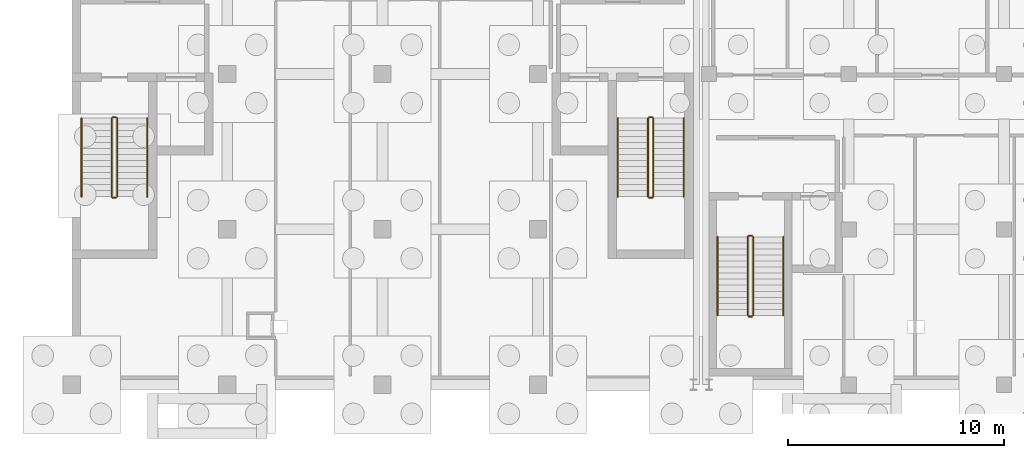
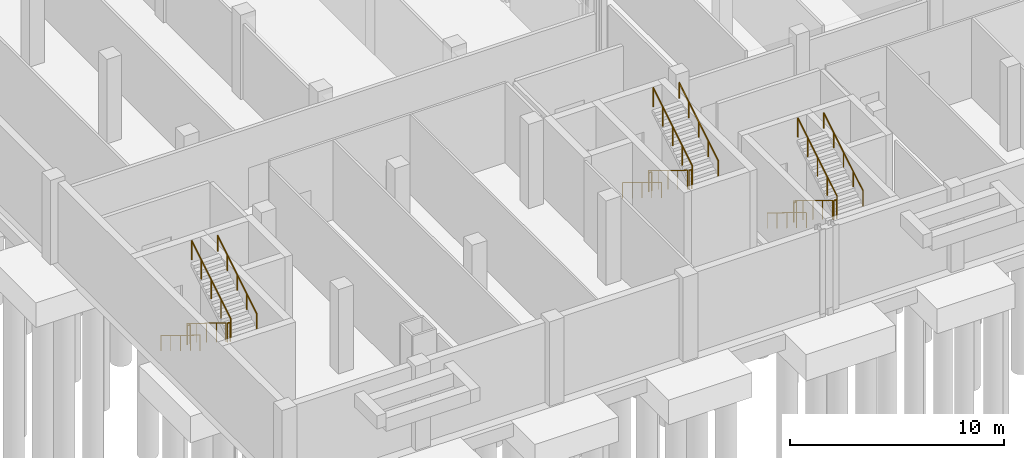
# One storey, part 27 of 35: 18 railings.
"""IFC4 building model written with IfcOpenShell, lengths in metres."""

from ifc_helpers import new_model, si_unit, direction, frame, origin, origin_2d, place, context, subcontext, project, spatial, circle, extrude, material, layer, layer_set, type_object, element, save


model = new_model("IFC4")

# Units and contexts
model_context = context("Model", 3, precision=1e-05, world=origin(), true_north=direction((0.0, 1.0)))
body_context = subcontext(model_context, "Body", "Model", "MODEL_VIEW")
ifc_project = project(units=[si_unit("LENGTHUNIT", "METRE"), si_unit("AREAUNIT", "SQUARE_METRE"), si_unit("VOLUMEUNIT", "CUBIC_METRE"), si_unit("PLANEANGLEUNIT", "RADIAN"), si_unit("MASSUNIT", "GRAM", prefix="KILO")], contexts=[model_context])

# Site, building, storey
site_placement = place(None, origin())
site = spatial("IfcSite", under=ifc_project, at=site_placement, CompositionType="ELEMENT")
building_placement = place(site_placement, origin())
building = spatial("IfcBuilding", under=site, at=building_placement, Name="Zarrinpeak Specialist Clinic", CompositionType="ELEMENT")
storey_placement = place(building_placement, frame((0.0, 0.0, -4.800048828125)))
storey = spatial("IfcBuildingStorey", under=building, at=storey_placement, Name="B01", CompositionType="ELEMENT", Elevation=-4.800048828125)

# Railings
ifc_material_1 = material(Name="Laminated Safety Glass and Stainless Steel 316", Category="steel")
ifc_layer_1 = layer(ifc_material_1, 0.06005859375)
ifc_layer_set_1 = layer_set([ifc_layer_1], Name="Laminated Safety Glass and Stainless Steel 316")
railing_type_1 = type_object("IfcRailingType", Name="RL-GRD115", PredefinedType="GUARDRAIL", material=ifc_layer_set_1)
railing_1_placement = place(storey_placement, frame((1.85009765625, 12.35009765625, 0.17138671875)))
element("IfcRailing", 1, at=railing_1_placement, inside=storey, type_object=railing_type_1, Name="B01 ST-01 stair guard 1", PredefinedType="GUARDRAIL", context=body_context, shape_type="SweptSolid", body=[
    extrude(circle(Radius=0.02392578125, at=origin_2d()), frame((0.0, 0.0, 1.076171875), z_axis=(0.0, -0.852840387347, 0.522171689878), x_axis=(1.0, 0.0, 0.0)), (0.0, 0.0, 1.0), 4.268310546875),
    extrude(circle(Radius=0.02099609375, at=origin_2d()), origin(), (0.0, 0.0, 1.0), 1.052001953125),
    extrude(circle(Radius=0.02099609375, at=origin_2d()), frame((0.0, -0.91015625, 0.55712890625)), (0.0, 0.0, 1.0), 1.052001953125),
    extrude(circle(Radius=0.02099609375, at=origin_2d()), frame((0.0, -1.820068359375, 1.1142578125)), (0.0, 0.0, 1.0), 1.052001953125),
    extrude(circle(Radius=0.02099609375, at=origin_2d()), frame((0.0, -2.72998046875, 1.671630859375)), (0.0, 0.0, 1.0), 1.052001953125),
    extrude(circle(Radius=0.02099609375, at=origin_2d()), frame((0.0, -3.64013671875, 2.228759765625)), (0.0, 0.0, 1.0), 1.052001953125),
])
railing_2_placement = place(storey_placement, frame((1.89990234375, 8.659912109375, 2.400146484375)))
element("IfcRailing", 2, at=railing_2_placement, inside=storey, type_object=railing_type_1, Name="B01 ST-01 stair guard 2", PredefinedType="GUARDRAIL", context=body_context, shape_type="SweptSolid", body=[
    extrude(circle(Radius=0.02392578125, at=origin_2d()), frame((0.0, 0.0, 1.076171875), z_axis=(1.0, 0.0, 0.0), x_axis=(0.0, 1.0, 0.0)), (0.0, 0.0, 1.0), 0.150146484375),
    extrude(circle(Radius=0.02099609375, at=origin_2d()), origin(), (0.0, 0.0, 1.0), 1.052001953125),
    extrude(circle(Radius=0.02099609375, at=origin_2d()), frame((0.150146484375, 0.0, 0.0)), (0.0, 0.0, 1.0), 1.052001953125),
])
railing_3_placement = place(storey_placement, frame((2.10009765625, 8.7099609375, 2.571533203125)))
element("IfcRailing", 3, at=railing_3_placement, inside=storey, type_object=railing_type_1, Name="B01 ST-01 stair guard 3", PredefinedType="GUARDRAIL", context=body_context, shape_type="SweptSolid", body=[
    extrude(circle(Radius=0.02392578125, at=origin_2d()), frame((0.0, 0.0, 1.076171875), z_axis=(0.0, 0.852865859571, 0.52213008492), x_axis=(-1.0, 0.0, 0.0)), (0.0, 0.0, 1.0), 4.26806640625),
    extrude(circle(Radius=0.02099609375, at=origin_2d()), origin(), (0.0, 0.0, 1.0), 1.052001953125),
    extrude(circle(Radius=0.02099609375, at=origin_2d()), frame((0.0, 0.91015625, 0.55712890625)), (0.0, 0.0, 1.0), 1.052001953125),
    extrude(circle(Radius=0.02099609375, at=origin_2d()), frame((0.0, 1.820068359375, 1.1142578125)), (0.0, 0.0, 1.0), 1.052001953125),
    extrude(circle(Radius=0.02099609375, at=origin_2d()), frame((0.0, 2.72998046875, 1.67138671875)), (0.0, 0.0, 1.0), 1.052001953125),
    extrude(circle(Radius=0.02099609375, at=origin_2d()), frame((0.0, 3.64013671875, 2.228515625)), (0.0, 0.0, 1.0), 1.052001953125),
])
railing_4_placement = place(storey_placement, frame((1.89990234375, 12.39990234375, 0.0)))
element("IfcRailing", 4, at=railing_4_placement, inside=storey, type_object=railing_type_1, Name="B01 ST-01 stair guard 4", PredefinedType="GUARDRAIL", context=body_context, shape_type="SweptSolid", body=[
    extrude(circle(Radius=0.02392578125, at=origin_2d()), frame((0.0, 0.0, 1.076171875), z_axis=(1.0, 0.0, 0.0), x_axis=(0.0, 1.0, 0.0)), (0.0, 0.0, 1.0), 0.150146484375),
    extrude(circle(Radius=0.02099609375, at=origin_2d()), origin(), (0.0, 0.0, 1.0), 1.052001953125),
    extrude(circle(Radius=0.02099609375, at=origin_2d()), frame((0.150146484375, 0.0, 0.0)), (0.0, 0.0, 1.0), 1.052001953125),
])
railing_5_placement = place(storey_placement, frame((26.699951171875, 12.35009765625, 0.17138671875)))
element("IfcRailing", 5, at=railing_5_placement, inside=storey, type_object=railing_type_1, Name="B01 ST-02 stair guard 1", PredefinedType="GUARDRAIL", context=body_context, shape_type="SweptSolid", body=[
    extrude(circle(Radius=0.02392578125, at=origin_2d()), frame((0.0, 0.0, 1.076171875), z_axis=(0.0, -0.852840387347, 0.522171689878), x_axis=(1.0, 0.0, 0.0)), (0.0, 0.0, 1.0), 4.268310546875),
    extrude(circle(Radius=0.02099609375, at=origin_2d()), origin(), (0.0, 0.0, 1.0), 1.052001953125),
    extrude(circle(Radius=0.02099609375, at=origin_2d()), frame((0.0, -0.91015625, 0.55712890625)), (0.0, 0.0, 1.0), 1.052001953125),
    extrude(circle(Radius=0.02099609375, at=origin_2d()), frame((0.0, -1.820068359375, 1.1142578125)), (0.0, 0.0, 1.0), 1.052001953125),
    extrude(circle(Radius=0.02099609375, at=origin_2d()), frame((0.0, -2.72998046875, 1.671630859375)), (0.0, 0.0, 1.0), 1.052001953125),
    extrude(circle(Radius=0.02099609375, at=origin_2d()), frame((0.0, -3.64013671875, 2.228759765625)), (0.0, 0.0, 1.0), 1.052001953125),
])
railing_6_placement = place(storey_placement, frame((26.75, 8.659912109375, 2.400146484375)))
element("IfcRailing", 6, at=railing_6_placement, inside=storey, type_object=railing_type_1, Name="B01 ST-02 stair guard 2", PredefinedType="GUARDRAIL", context=body_context, shape_type="SweptSolid", body=[
    extrude(circle(Radius=0.02392578125, at=origin_2d()), frame((0.0, 0.0, 1.076171875), z_axis=(1.0, 0.0, 0.0), x_axis=(0.0, 1.0, 0.0)), (0.0, 0.0, 1.0), 0.14990234375),
    extrude(circle(Radius=0.02099609375, at=origin_2d()), origin(), (0.0, 0.0, 1.0), 1.052001953125),
    extrude(circle(Radius=0.02099609375, at=origin_2d()), frame((0.14990234375, 0.0, 0.0)), (0.0, 0.0, 1.0), 1.052001953125),
])
railing_7_placement = place(storey_placement, frame((26.949951171875, 8.7099609375, 2.571533203125)))
element("IfcRailing", 7, at=railing_7_placement, inside=storey, type_object=railing_type_1, Name="B01 ST-02 stair guard 3", PredefinedType="GUARDRAIL", context=body_context, shape_type="SweptSolid", body=[
    extrude(circle(Radius=0.02392578125, at=origin_2d()), frame((0.0, 0.0, 1.076171875), z_axis=(0.0, 0.852865859571, 0.52213008492), x_axis=(-1.0, 0.0, 0.0)), (0.0, 0.0, 1.0), 4.26806640625),
    extrude(circle(Radius=0.02099609375, at=origin_2d()), origin(), (0.0, 0.0, 1.0), 1.052001953125),
    extrude(circle(Radius=0.02099609375, at=origin_2d()), frame((0.0, 0.91015625, 0.55712890625)), (0.0, 0.0, 1.0), 1.052001953125),
    extrude(circle(Radius=0.02099609375, at=origin_2d()), frame((0.0, 1.820068359375, 1.1142578125)), (0.0, 0.0, 1.0), 1.052001953125),
    extrude(circle(Radius=0.02099609375, at=origin_2d()), frame((0.0, 2.72998046875, 1.67138671875)), (0.0, 0.0, 1.0), 1.052001953125),
    extrude(circle(Radius=0.02099609375, at=origin_2d()), frame((0.0, 3.64013671875, 2.228515625)), (0.0, 0.0, 1.0), 1.052001953125),
])
railing_8_placement = place(storey_placement, frame((26.75, 12.39990234375, 0.0)))
element("IfcRailing", 8, at=railing_8_placement, inside=storey, type_object=railing_type_1, Name="B01 ST-02 stair guard 4", PredefinedType="GUARDRAIL", context=body_context, shape_type="SweptSolid", body=[
    extrude(circle(Radius=0.02392578125, at=origin_2d()), frame((0.0, 0.0, 1.076171875), z_axis=(1.0, 0.0, 0.0), x_axis=(0.0, 1.0, 0.0)), (0.0, 0.0, 1.0), 0.14990234375),
    extrude(circle(Radius=0.02099609375, at=origin_2d()), origin(), (0.0, 0.0, 1.0), 1.052001953125),
    extrude(circle(Radius=0.02099609375, at=origin_2d()), frame((0.14990234375, 0.0, 0.0)), (0.0, 0.0, 1.0), 1.052001953125),
])
railing_9_placement = place(storey_placement, frame((31.320068359375, 6.85009765625, 0.17138671875)))
element("IfcRailing", 9, at=railing_9_placement, inside=storey, type_object=railing_type_1, Name="B01 ST-03 stair guard 1", PredefinedType="GUARDRAIL", context=body_context, shape_type="SweptSolid", body=[
    extrude(circle(Radius=0.02392578125, at=origin_2d()), frame((0.0, 0.0, 1.076171875), z_axis=(0.0, -0.852840387347, 0.522171689878), x_axis=(1.0, 0.0, 0.0)), (0.0, 0.0, 1.0), 4.268310546875),
    extrude(circle(Radius=0.02099609375, at=origin_2d()), origin(), (0.0, 0.0, 1.0), 1.052001953125),
    extrude(circle(Radius=0.02099609375, at=origin_2d()), frame((0.0, -0.91015625, 0.55712890625)), (0.0, 0.0, 1.0), 1.052001953125),
    extrude(circle(Radius=0.02099609375, at=origin_2d()), frame((0.0, -1.820068359375, 1.1142578125)), (0.0, 0.0, 1.0), 1.052001953125),
    extrude(circle(Radius=0.02099609375, at=origin_2d()), frame((0.0, -2.72998046875, 1.671630859375)), (0.0, 0.0, 1.0), 1.052001953125),
    extrude(circle(Radius=0.02099609375, at=origin_2d()), frame((0.0, -3.64013671875, 2.228759765625)), (0.0, 0.0, 1.0), 1.052001953125),
])
railing_10_placement = place(storey_placement, frame((31.3701171875, 3.159912109375, 2.400146484375)))
element("IfcRailing", 10, at=railing_10_placement, inside=storey, type_object=railing_type_1, Name="B01 ST-03 stair guard 2", PredefinedType="GUARDRAIL", context=body_context, shape_type="SweptSolid", body=[
    extrude(circle(Radius=0.02392578125, at=origin_2d()), frame((0.0, 0.0, 1.076171875), z_axis=(1.0, 0.0, 0.0), x_axis=(0.0, 1.0, 0.0)), (0.0, 0.0, 1.0), 0.14990234375),
    extrude(circle(Radius=0.02099609375, at=origin_2d()), origin(), (0.0, 0.0, 1.0), 1.052001953125),
    extrude(circle(Radius=0.02099609375, at=origin_2d()), frame((0.14990234375, 0.0, 0.0)), (0.0, 0.0, 1.0), 1.052001953125),
])
railing_11_placement = place(storey_placement, frame((31.570068359375, 3.2099609375, 2.571533203125)))
element("IfcRailing", 11, at=railing_11_placement, inside=storey, type_object=railing_type_1, Name="B01 ST-03 stair guard 3", PredefinedType="GUARDRAIL", context=body_context, shape_type="SweptSolid", body=[
    extrude(circle(Radius=0.02392578125, at=origin_2d()), frame((0.0, 0.0, 1.076171875), z_axis=(0.0, 0.852865859571, 0.52213008492), x_axis=(-1.0, 0.0, 0.0)), (0.0, 0.0, 1.0), 4.26806640625),
    extrude(circle(Radius=0.02099609375, at=origin_2d()), origin(), (0.0, 0.0, 1.0), 1.052001953125),
    extrude(circle(Radius=0.02099609375, at=origin_2d()), frame((0.0, 0.91015625, 0.55712890625)), (0.0, 0.0, 1.0), 1.052001953125),
    extrude(circle(Radius=0.02099609375, at=origin_2d()), frame((0.0, 1.820068359375, 1.1142578125)), (0.0, 0.0, 1.0), 1.052001953125),
    extrude(circle(Radius=0.02099609375, at=origin_2d()), frame((0.0, 2.72998046875, 1.67138671875)), (0.0, 0.0, 1.0), 1.052001953125),
    extrude(circle(Radius=0.02099609375, at=origin_2d()), frame((0.0, 3.64013671875, 2.228515625)), (0.0, 0.0, 1.0), 1.052001953125),
])
railing_12_placement = place(storey_placement, frame((31.3701171875, 6.89990234375, 0.0)))
element("IfcRailing", 12, at=railing_12_placement, inside=storey, type_object=railing_type_1, Name="B01 ST-03 stair guard 4", PredefinedType="GUARDRAIL", context=body_context, shape_type="SweptSolid", body=[
    extrude(circle(Radius=0.02392578125, at=origin_2d()), frame((0.0, 0.0, 1.076171875), z_axis=(1.0, 0.0, 0.0), x_axis=(0.0, 1.0, 0.0)), (0.0, 0.0, 1.0), 0.14990234375),
    extrude(circle(Radius=0.02099609375, at=origin_2d()), origin(), (0.0, 0.0, 1.0), 1.052001953125),
    extrude(circle(Radius=0.02099609375, at=origin_2d()), frame((0.14990234375, 0.0, 0.0)), (0.0, 0.0, 1.0), 1.052001953125),
])
ifc_material_2 = material(Name="Brushed Stainless Steel 316 Handrail", Category="steel")
ifc_layer_2 = layer(ifc_material_2, 0.050048828125)
ifc_layer_set_2 = layer_set([ifc_layer_2], Name="Brushed Stainless Steel 316 Handrail")
railing_type_2 = type_object("IfcRailingType", Name="RL-HND92", PredefinedType="HANDRAIL", material=ifc_layer_set_2)
railing_13_placement = place(storey_placement, frame((0.449951171875, 12.35009765625, 0.17138671875)))
element("IfcRailing", 13, at=railing_13_placement, inside=storey, type_object=railing_type_2, Name="B01 ST-01 stair handrail 1", PredefinedType="HANDRAIL", context=body_context, shape_type="SweptSolid", body=[
    extrude(circle(Radius=0.02392578125, at=origin_2d()), frame((0.0, 0.0, 0.8759765625), z_axis=(0.0, -0.852840387347, 0.522171689878), x_axis=(1.0, 0.0, 0.0)), (0.0, 0.0, 1.0), 4.268310546875),
    extrude(circle(Radius=0.02099609375, at=origin_2d()), origin(), (0.0, 0.0, 1.0), 0.851806640625),
    extrude(circle(Radius=0.02099609375, at=origin_2d()), frame((0.0, -0.91015625, 0.55712890625)), (0.0, 0.0, 1.0), 0.851806640625),
    extrude(circle(Radius=0.02099609375, at=origin_2d()), frame((0.0, -1.820068359375, 1.1142578125)), (0.0, 0.0, 1.0), 0.851806640625),
    extrude(circle(Radius=0.02099609375, at=origin_2d()), frame((0.0, -2.72998046875, 1.671630859375)), (0.0, 0.0, 1.0), 0.851806640625),
    extrude(circle(Radius=0.02099609375, at=origin_2d()), frame((0.0, -3.64013671875, 2.228759765625)), (0.0, 0.0, 1.0), 0.851806640625),
])
railing_14_placement = place(storey_placement, frame((3.5, 8.7099609375, 2.571533203125)))
element("IfcRailing", 14, at=railing_14_placement, inside=storey, type_object=railing_type_2, Name="B01 ST-01 stair handrail 2", PredefinedType="HANDRAIL", context=body_context, shape_type="SweptSolid", body=[
    extrude(circle(Radius=0.02392578125, at=origin_2d()), frame((0.0, 0.0, 0.8759765625), z_axis=(0.0, 0.852865859571, 0.52213008492), x_axis=(-1.0, 0.0, 0.0)), (0.0, 0.0, 1.0), 4.26806640625),
    extrude(circle(Radius=0.02099609375, at=origin_2d()), origin(), (0.0, 0.0, 1.0), 0.851806640625),
    extrude(circle(Radius=0.02099609375, at=origin_2d()), frame((0.0, 0.91015625, 0.55712890625)), (0.0, 0.0, 1.0), 0.851806640625),
    extrude(circle(Radius=0.02099609375, at=origin_2d()), frame((0.0, 1.820068359375, 1.1142578125)), (0.0, 0.0, 1.0), 0.851806640625),
    extrude(circle(Radius=0.02099609375, at=origin_2d()), frame((0.0, 2.72998046875, 1.67138671875)), (0.0, 0.0, 1.0), 0.851806640625),
    extrude(circle(Radius=0.02099609375, at=origin_2d()), frame((0.0, 3.64013671875, 2.228515625)), (0.0, 0.0, 1.0), 0.851806640625),
])
railing_15_placement = place(storey_placement, frame((25.300048828125, 12.35009765625, 0.17138671875)))
element("IfcRailing", 15, at=railing_15_placement, inside=storey, type_object=railing_type_2, Name="B01 ST-02 stair handrail 1", PredefinedType="HANDRAIL", context=body_context, shape_type="SweptSolid", body=[
    extrude(circle(Radius=0.02392578125, at=origin_2d()), frame((0.0, 0.0, 0.8759765625), z_axis=(0.0, -0.852840387347, 0.522171689878), x_axis=(1.0, 0.0, 0.0)), (0.0, 0.0, 1.0), 4.268310546875),
    extrude(circle(Radius=0.02099609375, at=origin_2d()), origin(), (0.0, 0.0, 1.0), 0.851806640625),
    extrude(circle(Radius=0.02099609375, at=origin_2d()), frame((0.0, -0.91015625, 0.55712890625)), (0.0, 0.0, 1.0), 0.851806640625),
    extrude(circle(Radius=0.02099609375, at=origin_2d()), frame((0.0, -1.820068359375, 1.1142578125)), (0.0, 0.0, 1.0), 0.851806640625),
    extrude(circle(Radius=0.02099609375, at=origin_2d()), frame((0.0, -2.72998046875, 1.671630859375)), (0.0, 0.0, 1.0), 0.851806640625),
    extrude(circle(Radius=0.02099609375, at=origin_2d()), frame((0.0, -3.64013671875, 2.228759765625)), (0.0, 0.0, 1.0), 0.851806640625),
])
railing_16_placement = place(storey_placement, frame((28.35009765625, 8.7099609375, 2.571533203125)))
element("IfcRailing", 16, at=railing_16_placement, inside=storey, type_object=railing_type_2, Name="B01 ST-02 stair handrail 2", PredefinedType="HANDRAIL", context=body_context, shape_type="SweptSolid", body=[
    extrude(circle(Radius=0.02392578125, at=origin_2d()), frame((0.0, 0.0, 0.8759765625), z_axis=(0.0, 0.852865859571, 0.52213008492), x_axis=(-1.0, 0.0, 0.0)), (0.0, 0.0, 1.0), 4.26806640625),
    extrude(circle(Radius=0.02099609375, at=origin_2d()), origin(), (0.0, 0.0, 1.0), 0.851806640625),
    extrude(circle(Radius=0.02099609375, at=origin_2d()), frame((0.0, 0.91015625, 0.55712890625)), (0.0, 0.0, 1.0), 0.851806640625),
    extrude(circle(Radius=0.02099609375, at=origin_2d()), frame((0.0, 1.820068359375, 1.1142578125)), (0.0, 0.0, 1.0), 0.851806640625),
    extrude(circle(Radius=0.02099609375, at=origin_2d()), frame((0.0, 2.72998046875, 1.67138671875)), (0.0, 0.0, 1.0), 0.851806640625),
    extrude(circle(Radius=0.02099609375, at=origin_2d()), frame((0.0, 3.64013671875, 2.228515625)), (0.0, 0.0, 1.0), 0.851806640625),
])
railing_17_placement = place(storey_placement, frame((29.919921875, 6.85009765625, 0.17138671875)))
element("IfcRailing", 17, at=railing_17_placement, inside=storey, type_object=railing_type_2, Name="B01 ST-03 stair handrail 1", PredefinedType="HANDRAIL", context=body_context, shape_type="SweptSolid", body=[
    extrude(circle(Radius=0.02392578125, at=origin_2d()), frame((0.0, 0.0, 0.8759765625), z_axis=(0.0, -0.852840387347, 0.522171689878), x_axis=(1.0, 0.0, 0.0)), (0.0, 0.0, 1.0), 4.268310546875),
    extrude(circle(Radius=0.02099609375, at=origin_2d()), origin(), (0.0, 0.0, 1.0), 0.851806640625),
    extrude(circle(Radius=0.02099609375, at=origin_2d()), frame((0.0, -0.91015625, 0.55712890625)), (0.0, 0.0, 1.0), 0.851806640625),
    extrude(circle(Radius=0.02099609375, at=origin_2d()), frame((0.0, -1.820068359375, 1.1142578125)), (0.0, 0.0, 1.0), 0.851806640625),
    extrude(circle(Radius=0.02099609375, at=origin_2d()), frame((0.0, -2.72998046875, 1.671630859375)), (0.0, 0.0, 1.0), 0.851806640625),
    extrude(circle(Radius=0.02099609375, at=origin_2d()), frame((0.0, -3.64013671875, 2.228759765625)), (0.0, 0.0, 1.0), 0.851806640625),
])
railing_18_placement = place(storey_placement, frame((32.969970703125, 3.2099609375, 2.571533203125)))
element("IfcRailing", 18, at=railing_18_placement, inside=storey, type_object=railing_type_2, Name="B01 ST-03 stair handrail 2", PredefinedType="HANDRAIL", context=body_context, shape_type="SweptSolid", body=[
    extrude(circle(Radius=0.02392578125, at=origin_2d()), frame((0.0, 0.0, 0.8759765625), z_axis=(0.0, 0.852865859571, 0.52213008492), x_axis=(-1.0, 0.0, 0.0)), (0.0, 0.0, 1.0), 4.26806640625),
    extrude(circle(Radius=0.02099609375, at=origin_2d()), origin(), (0.0, 0.0, 1.0), 0.851806640625),
    extrude(circle(Radius=0.02099609375, at=origin_2d()), frame((0.0, 0.91015625, 0.55712890625)), (0.0, 0.0, 1.0), 0.851806640625),
    extrude(circle(Radius=0.02099609375, at=origin_2d()), frame((0.0, 1.820068359375, 1.1142578125)), (0.0, 0.0, 1.0), 0.851806640625),
    extrude(circle(Radius=0.02099609375, at=origin_2d()), frame((0.0, 2.72998046875, 1.67138671875)), (0.0, 0.0, 1.0), 0.851806640625),
    extrude(circle(Radius=0.02099609375, at=origin_2d()), frame((0.0, 3.64013671875, 2.228515625)), (0.0, 0.0, 1.0), 0.851806640625),
])

save(model, "model.ifc")
